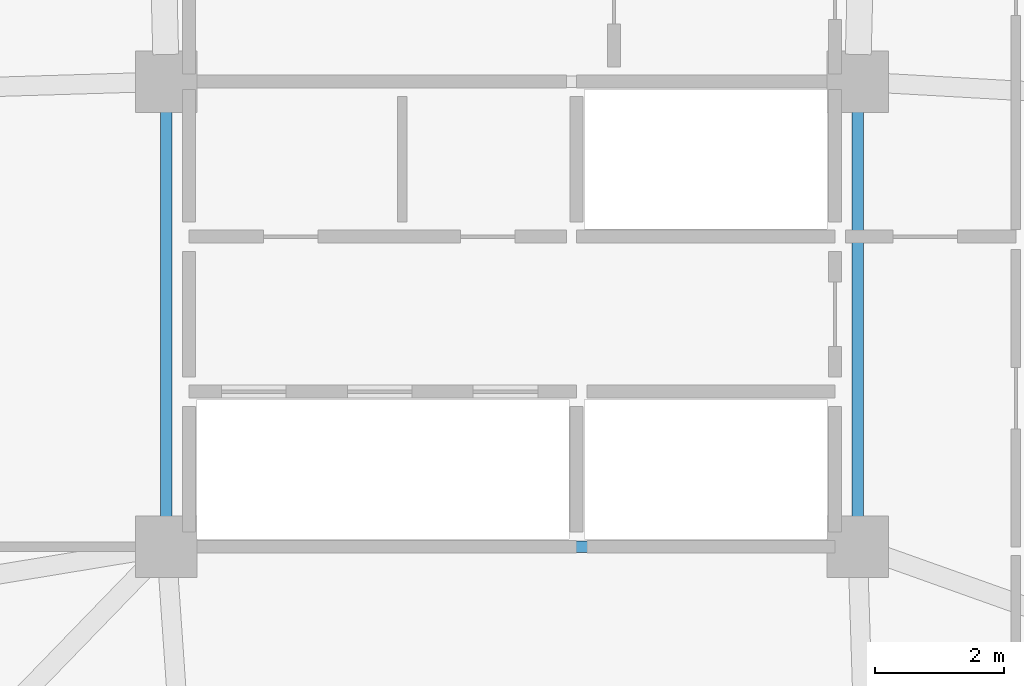
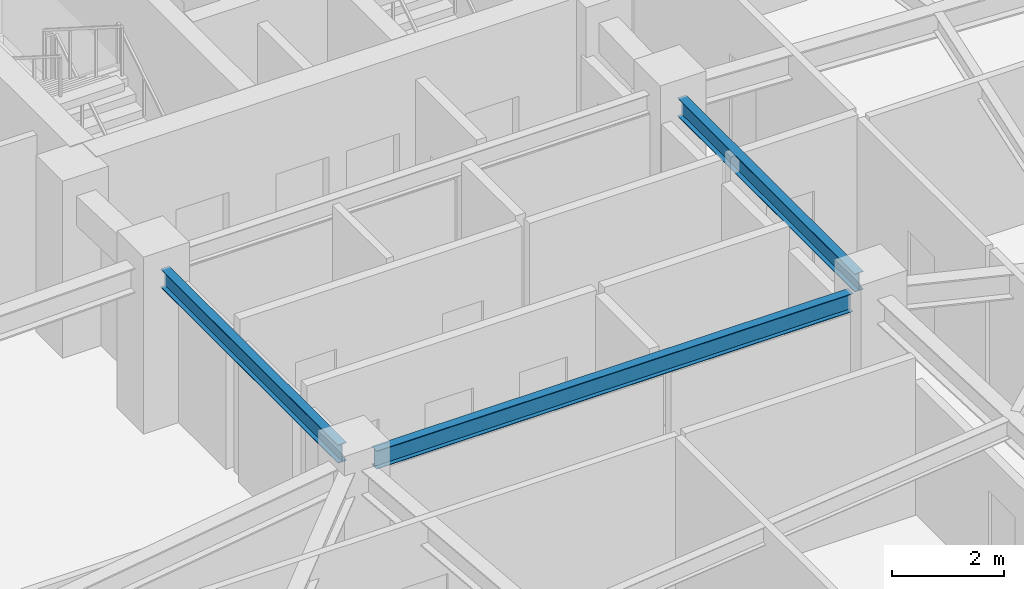
# One storey, part 9 of 26: 3 beams.
"""IFC4 building model written with IfcOpenShell, lengths in metres."""

from ifc_helpers import new_model, si_unit, direction, frame, origin, origin_2d, place, context, subcontext, project, spatial, i_section, extrude, material, material_profile, profile_set, type_object, element, save


model = new_model("IFC4")

# Units and contexts
model_context = context("Model", 3, precision=1e-05, world=origin(), true_north=direction((0.0, 1.0)))
body_context = subcontext(model_context, "Body", "Model", "MODEL_VIEW")
ifc_project = project(units=[si_unit("LENGTHUNIT", "METRE"), si_unit("AREAUNIT", "SQUARE_METRE"), si_unit("VOLUMEUNIT", "CUBIC_METRE"), si_unit("PLANEANGLEUNIT", "RADIAN"), si_unit("MASSUNIT", "GRAM", prefix="KILO")], contexts=[model_context])

# Site, building, storey
site_placement = place(None, origin())
site = spatial("IfcSite", under=ifc_project, at=site_placement, CompositionType="ELEMENT")
building_placement = place(site_placement, origin())
building = spatial("IfcBuilding", under=site, at=building_placement, Name="Varnakorn Sky Granary", CompositionType="ELEMENT")
storey_placement = place(building_placement, frame((0.0, 0.0, 165.60009765625)))
storey = spatial("IfcBuildingStorey", under=building, at=storey_placement, Name="L41", CompositionType="ELEMENT", Elevation=165.60009765625)

# Beams
ifc_material = material(Name="Steel S355JR", Category="steel")
ifc_material_profile = material_profile(ifc_material, i_section(OverallWidth=0.179931640625, OverallDepth=0.39990234375, WebThickness=0.008544921875, FlangeThickness=0.013427734375, at=origin_2d()), Name="IPE 400")
ifc_profile_set = profile_set([ifc_material_profile], Name="Steel S355JR")
beam_type = type_object("IfcBeamType", Name="BM-SEC-Z3", PredefinedType="BEAM", material=ifc_profile_set)
for number, where, z_axis, x_axis, name in (
    (1, (-2.35009765625, 0.179931640625, 3.25), (0.0, -1.0, 0.0), (1.0, 0.0, 0.0), "Core Spine Framing Beam 3 L41"),
    (2, (8.35009765625, 0.179931640625, 3.25), (0.0, -1.0, 0.0), (1.0, 0.0, 0.0), "Core Spine Framing Beam 4 L41"),
):
    element("IfcBeam", number, at=place(storey_placement, frame(where, z_axis=z_axis, x_axis=x_axis)), inside=storey, type_object=beam_type, Name=name, PredefinedType="BEAM", context=body_context, shape_type="SweptSolid", body=[
        extrude(i_section(OverallWidth=0.179931640625, OverallDepth=0.39990234375, WebThickness=0.008544921875, FlangeThickness=0.013427734375, at=origin_2d()), origin(), (0.0, 0.0, 1.0), 6.35986328125),
    ])
beam_placement = place(storey_placement, frame((-1.929931640625, -6.60009765625, 3.25), z_axis=(1.0, 0.0, 0.0), x_axis=(0.0, 1.0, 0.0)))
element("IfcBeam", 3, at=beam_placement, inside=storey, type_object=beam_type, Name="Core Spine Framing Beam 6 L41", PredefinedType="BEAM", context=body_context, shape_type="SweptSolid", body=[
    extrude(i_section(OverallWidth=0.179931640625, OverallDepth=0.39990234375, WebThickness=0.008544921875, FlangeThickness=0.013427734375, at=origin_2d()), origin(), (0.0, 0.0, 1.0), 9.85986328125),
])

save(model, "model.ifc")
